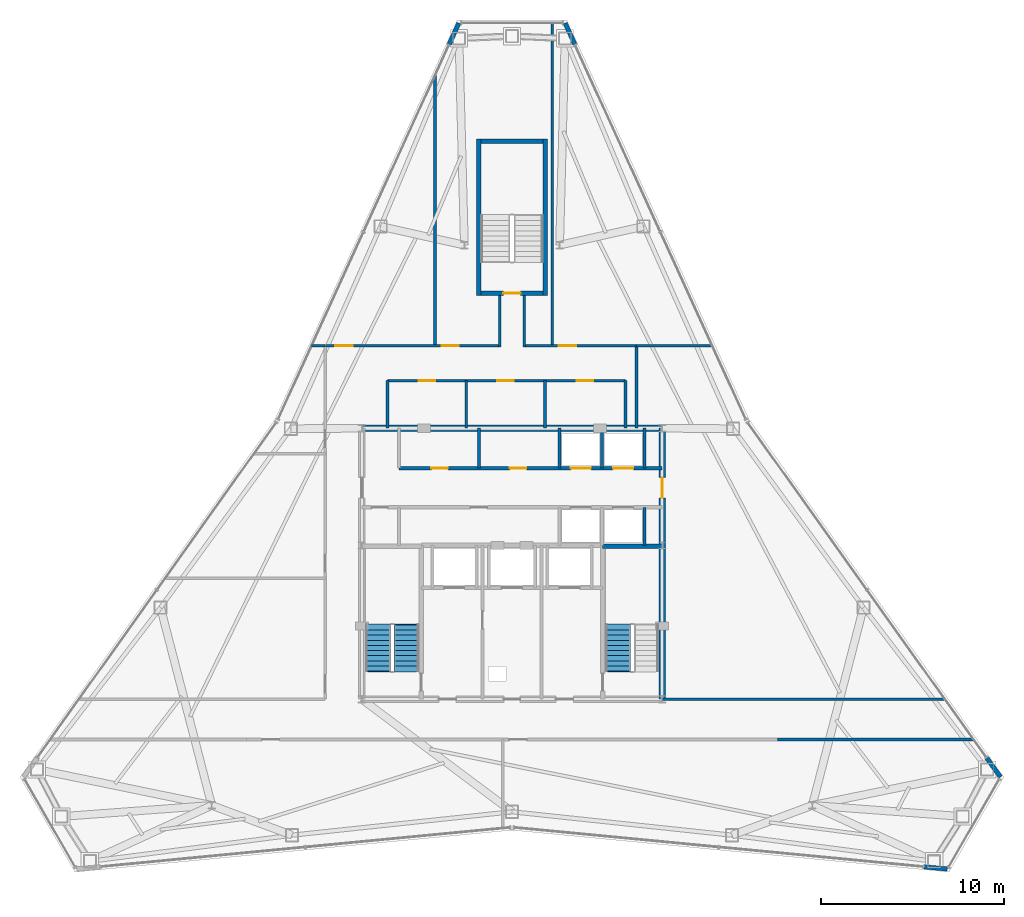
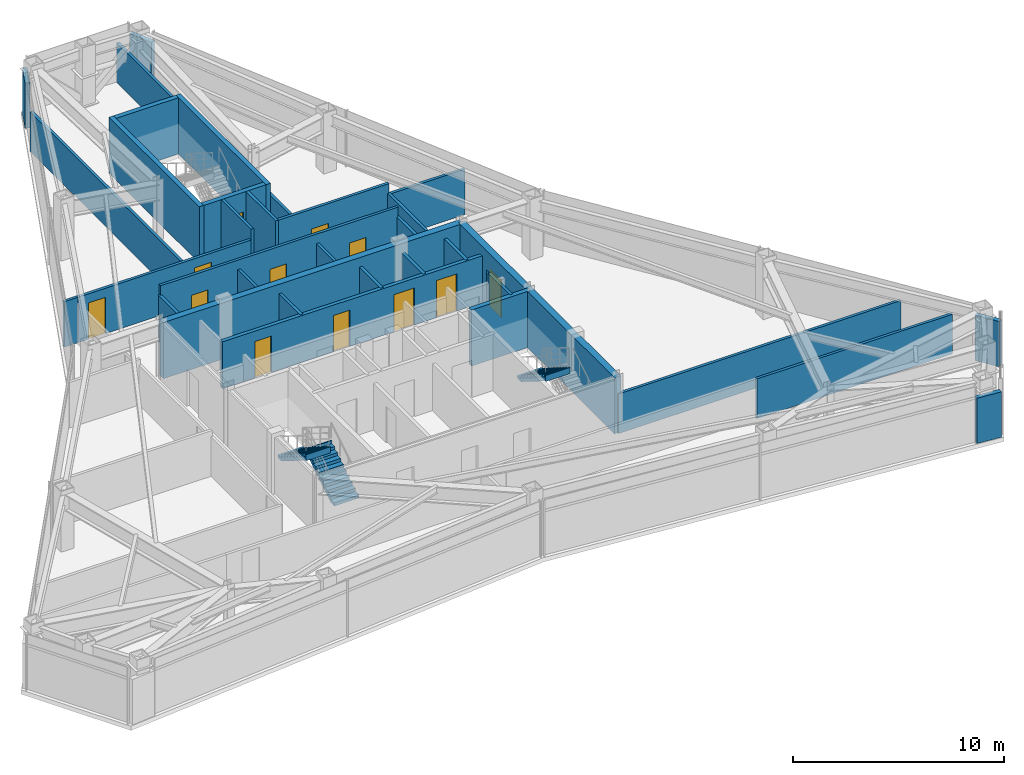
# One storey, part 10 of 12: 33 walls, 12 doors, 3 stair flights, 12 openings, 2 elements without a shape of their own.
"""IFC4 building model written with IfcOpenShell, lengths in metres."""

from ifc_helpers import new_model, si_unit, direction, frame, frame_2d, origin, place, context, subcontext, project, spatial, polyline, rectangle, outline, extrude, material, layer, layer_set, type_object, element, fill, aggregate, save


model = new_model("IFC4")

# Units and contexts
model_context = context("Model", 3, precision=1e-05, world=origin(), true_north=direction((0.0, 1.0)))
body_context = subcontext(model_context, "Body", "Model", "MODEL_VIEW")
ifc_project = project(units=[si_unit("LENGTHUNIT", "METRE"), si_unit("AREAUNIT", "SQUARE_METRE"), si_unit("VOLUMEUNIT", "CUBIC_METRE"), si_unit("PLANEANGLEUNIT", "RADIAN"), si_unit("MASSUNIT", "GRAM", prefix="KILO")], contexts=[model_context])

# Site, building, storey
site_placement = place(None, origin())
site = spatial("IfcSite", under=ifc_project, at=site_placement, CompositionType="ELEMENT")
building_placement = place(site_placement, origin())
building = spatial("IfcBuilding", under=site, at=building_placement, Name="Varakhsha Concourse Tower", CompositionType="ELEMENT")
storey_placement = place(building_placement, frame((0.0, 0.0, 243.39990234375)))
storey = spatial("IfcBuildingStorey", under=building, at=storey_placement, Name="L69", CompositionType="ELEMENT", Elevation=243.39990234375)

# Wall
ifc_material_1 = material(Name="Concrete fc 65 MPa", Category="concrete")
ifc_layer_1 = layer(ifc_material_1, 0.35009765625, Name="WL-CORE-350")
ifc_layer_set_1 = layer_set([ifc_layer_1], Name="Concrete fc 65 MPa")
wall_type_1 = type_object("IfcWallType", Name="WL-CORE-350", PredefinedType="SHEAR", material=ifc_layer_set_1)
wall_1_placement = place(storey_placement, frame((31.800048828125, 31.199951171875, 0.0), z_axis=(0.0, 0.0, 1.0), x_axis=(1.0, 0.0, 0.0)))
element("IfcWall", 1, at=wall_1_placement, inside=storey, type_object=wall_type_1, Name="L69 Wall CWALL-N-L69", PredefinedType="SHEAR", context=body_context, shape_type="SweptSolid", body=[
    extrude(rectangle(XDim=16.39990234375, YDim=0.35009765625, at=frame_2d((8.199951171875, 0.0))), origin(), (0.0, 0.0, 1.0), 3.25),
])

# Wall, opening, door
wall_2_placement = place(storey_placement, frame((48.199951171875, 16.39990234375, 0.0), z_axis=(0.0, 0.0, 1.0), x_axis=(0.0, 1.0, 0.0)))
wall_2 = element("IfcWall", 2, at=wall_2_placement, inside=storey, type_object=wall_type_1, Name="L69 Wall CWALL-E-L69", PredefinedType="SHEAR", context=body_context, shape_type="SweptSolid", body=[
    extrude(rectangle(XDim=14.800048828125, YDim=0.35009765625, at=frame_2d((7.39990234375, 0.0))), origin(), (0.0, 0.0, 1.0), 3.25),
])
opening_1_placement = place(wall_2_placement, frame((11.0, 0.0, 0.0)))
opening_1 = element("IfcOpeningElement", 3, at=opening_1_placement, cuts=wall_2, Name="Opening DL-01", PredefinedType="OPENING", context=body_context, shape_type="SweptSolid", body=[
    extrude(rectangle(XDim=1.10009765625, YDim=2.14990234375, at=frame_2d((0.550048828125, 1.074951171875))), frame((0.0, 0.18505859375, 0.0), z_axis=(0.0, -1.0, 0.0), x_axis=(1.0, 0.0, 0.0)), (0.0, 0.0, 1.0), 0.3701171875),
])
ifc_material_2 = material(Name="Anodised Bronze Architectural Aluminium AA 6063-T6", Category="aluminium")
door_type_1 = type_object("IfcDoorType", Name="DR-LOB-1100", OperationType="NOTDEFINED", PredefinedType="DOOR", material=ifc_material_2)
door_1_placement = place(opening_1_placement, origin())
door_1 = element("IfcDoor", 4, at=door_1_placement, inside=storey, type_object=door_type_1, Name="L69 Lift Lobby East Concourse Door", OperationType="SINGLE_SWING_RIGHT", OverallHeight=2.14990234375, OverallWidth=1.10009765625, PredefinedType="DOOR", context=body_context, shape_type="SweptSolid", body=[
    extrude(rectangle(XDim=1.10009765625, YDim=2.14990234375, at=frame_2d((0.550048828125, 1.074951171875))), frame((0.0, 0.02490234375, 0.0), z_axis=(0.0, -1.0, 0.0), x_axis=(1.0, 0.0, 0.0)), (0.0, 0.0, 1.0), 0.050048828125),
])
fill(opening_1, door_1)

# Walls
ifc_material_3 = material(Name="Concrete fc 45 MPa", Category="concrete")
ifc_layer_2 = layer(ifc_material_3, 0.239990234375, Name="WL-EXT-CRN-240")
ifc_layer_set_2 = layer_set([ifc_layer_2], Name="Concrete fc 45 MPa")
wall_type_2 = type_object("IfcWallType", Name="WL-EXT-CRN-240", PredefinedType="SHEAR", material=ifc_layer_set_2)
wall_3_placement = place(storey_placement, frame((37.09912109375, 53.328857421875, 0.0), z_axis=(0.0, 0.0, 1.0), x_axis=(-0.415158054461, -0.909749300531, 0.0)))
element("IfcWall", 5, at=wall_3_placement, inside=storey, type_object=wall_type_2, Name="L69 Wind-Corner Shoulder Wall F2", PredefinedType="SHEAR", context=body_context, shape_type="SweptSolid", body=[
    extrude(rectangle(XDim=1.275634765625, YDim=0.239990234375, at=frame_2d((0.6376953125, 0.0))), origin(), (0.0, 0.0, 1.0), 2.623046875),
])
wall_4_placement = place(storey_placement, frame((62.50634765625, 7.244873046875, 0.0), z_axis=(0.0, 0.0, 1.0), x_axis=(0.995445433377, -0.095333043427, 0.0)))
element("IfcWall", 6, at=wall_4_placement, inside=storey, type_object=wall_type_2, Name="L69 Wind-Corner Shoulder Wall F6", PredefinedType="SHEAR", context=body_context, shape_type="SweptSolid", body=[
    extrude(rectangle(XDim=1.275390625, YDim=0.239990234375, at=frame_2d((0.6376953125, 0.0))), origin(), (0.0, 0.0, 1.0), 2.623046875),
])
for number, where, z_axis, x_axis, name in (
    (7, (66.6767578125, 12.147705078125, 0.0), (0.0, 0.0, 1.0), (-0.580314460297, 0.814392489632, 0.0), "L69 Wind-Corner Shoulder Wall F8"),
    (8, (43.430419921875, 52.16845703125, 0.0), (0.0, 0.0, 1.0), (-0.415158054461, 0.909749300531, 0.0), "L69 Wind-Corner Shoulder Wall F9"),
):
    element("IfcWall", number, at=place(storey_placement, frame(where, z_axis=z_axis, x_axis=x_axis)), inside=storey, type_object=wall_type_2, Name=name, PredefinedType="SHEAR", context=body_context, shape_type="SweptSolid", body=[
        extrude(rectangle(XDim=1.275634765625, YDim=0.239990234375, at=frame_2d((0.6376953125, 0.0))), origin(), (0.0, 0.0, 1.0), 2.623046875),
    ])
ifc_material_4 = material(Name="Fire-Rated Type X Gypsum Partition Assembly", Category="gypsum")
ifc_layer_3 = layer(ifc_material_4, 0.14990234375, Name="WL-PART-150")
ifc_layer_set_3 = layer_set([ifc_layer_3], Name="Fire-Rated Type X Gypsum Partition Assembly")
wall_type_3 = type_object("IfcWallType", Name="WL-PART-150", PredefinedType="PARTITIONING", material=ifc_layer_set_3)
wall_5_placement = place(storey_placement, frame((38.199951171875, 29.02001953125, 0.0), z_axis=(0.0, 0.0, 1.0), x_axis=(0.0, 1.0, 0.0)))
element("IfcWall", 9, at=wall_5_placement, inside=storey, type_object=wall_type_3, Name="L69 Wall P1F-D1-L69", PredefinedType="PARTITIONING", context=body_context, shape_type="SweptSolid", body=[
    extrude(rectangle(XDim=2.179931640625, YDim=0.14990234375, at=frame_2d((1.08984375, 0.0))), origin(), (0.0, 0.0, 1.0), 2.705078125),
])

# Wall, openings, doors
wall_6_placement = place(storey_placement, frame((33.199951171875, 33.800048828125, 0.0), z_axis=(0.0, 0.0, 1.0), x_axis=(1.0, 0.0, 0.0)))
wall_6 = element("IfcWall", 10, at=wall_6_placement, inside=storey, type_object=wall_type_3, Name="L69 Wall NBOH-N-L69", PredefinedType="PARTITIONING", context=body_context, shape_type="SweptSolid", body=[
    extrude(rectangle(XDim=13.0, YDim=0.14990234375, at=frame_2d((6.5, 0.0))), origin(), (0.0, 0.0, 1.0), 3.25),
])
opening_2_placement = place(wall_6_placement, frame((1.699951171875, 0.0, 0.0)))
opening_2 = element("IfcOpeningElement", 11, at=opening_2_placement, cuts=wall_6, Name="Opening DF-06", PredefinedType="OPENING", context=body_context, shape_type="SweptSolid", body=[
    extrude(rectangle(XDim=0.89990234375, YDim=2.10009765625, at=frame_2d((0.449951171875, 1.050048828125))), frame((0.0, 0.0849609375, 0.0), z_axis=(0.0, -1.0, 0.0), x_axis=(1.0, 0.0, 0.0)), (0.0, 0.0, 1.0), 0.169921875),
])
opening_3_placement = place(wall_6_placement, frame((6.0, 0.0, 0.0)))
opening_3 = element("IfcOpeningElement", 12, at=opening_3_placement, cuts=wall_6, Name="Opening DF-06", PredefinedType="OPENING", context=body_context, shape_type="SweptSolid", body=[
    extrude(rectangle(XDim=0.89990234375, YDim=2.10009765625, at=frame_2d((0.449951171875, 1.050048828125))), frame((0.0, 0.0849609375, 0.0), z_axis=(0.0, -1.0, 0.0), x_axis=(1.0, 0.0, 0.0)), (0.0, 0.0, 1.0), 0.169921875),
])
opening_4_placement = place(wall_6_placement, frame((10.35009765625, 0.0, 0.0)))
opening_4 = element("IfcOpeningElement", 13, at=opening_4_placement, cuts=wall_6, Name="Opening DF-06", PredefinedType="OPENING", context=body_context, shape_type="SweptSolid", body=[
    extrude(rectangle(XDim=0.89990234375, YDim=2.10009765625, at=frame_2d((0.449951171875, 1.050048828125))), frame((0.0, 0.0849609375, 0.0), z_axis=(0.0, -1.0, 0.0), x_axis=(1.0, 0.0, 0.0)), (0.0, 0.0, 1.0), 0.169921875),
])
ifc_material_5 = material(Name="Hollow Galvanised Steel Fire Door Assembly", Category="steel")
door_type_2 = type_object("IfcDoorType", Name="DR-FD60-900", OperationType="NOTDEFINED", PredefinedType="DOOR", material=ifc_material_5)
door_2_placement = place(opening_2_placement, origin())
door_2 = element("IfcDoor", 14, at=door_2_placement, inside=storey, type_object=door_type_2, Name="L69 Men Restroom WC Door", OperationType="SINGLE_SWING_LEFT", OverallHeight=2.10009765625, OverallWidth=0.89990234375, PredefinedType="DOOR", context=body_context, shape_type="SweptSolid", body=[
    extrude(rectangle(XDim=0.89990234375, YDim=2.10009765625, at=frame_2d((0.449951171875, 1.050048828125))), frame((0.0, 0.02490234375, 0.0), z_axis=(0.0, -1.0, 0.0), x_axis=(1.0, 0.0, 0.0)), (0.0, 0.0, 1.0), 0.050048828125),
])
fill(opening_2, door_2)
door_3_placement = place(opening_3_placement, origin())
door_3 = element("IfcDoor", 15, at=door_3_placement, inside=storey, type_object=door_type_2, Name="L69 Women Restroom WC Door", OperationType="SINGLE_SWING_RIGHT", OverallHeight=2.10009765625, OverallWidth=0.89990234375, PredefinedType="DOOR", context=body_context, shape_type="SweptSolid", body=[
    extrude(rectangle(XDim=0.89990234375, YDim=2.10009765625, at=frame_2d((0.449951171875, 1.050048828125))), frame((0.0, 0.02490234375, 0.0), z_axis=(0.0, -1.0, 0.0), x_axis=(1.0, 0.0, 0.0)), (0.0, 0.0, 1.0), 0.050048828125),
])
fill(opening_3, door_3)
door_4_placement = place(opening_4_placement, origin())
door_4 = element("IfcDoor", 16, at=door_4_placement, inside=storey, type_object=door_type_2, Name="L69 Accessible WC Door", OperationType="SINGLE_SWING_LEFT", OverallHeight=2.10009765625, OverallWidth=0.89990234375, PredefinedType="DOOR", context=body_context, shape_type="SweptSolid", body=[
    extrude(rectangle(XDim=0.89990234375, YDim=2.10009765625, at=frame_2d((0.449951171875, 1.050048828125))), frame((0.0, 0.02490234375, 0.0), z_axis=(0.0, -1.0, 0.0), x_axis=(1.0, 0.0, 0.0)), (0.0, 0.0, 1.0), 0.050048828125),
])
fill(opening_4, door_4)

# Walls
for number, where, z_axis, x_axis, name in (
    (17, (33.199951171875, 31.199951171875, 0.0), (0.0, 0.0, 1.0), (0.0, 1.0, 0.0), "L69 Wall NBOH-W-L69"),
    (18, (46.199951171875, 31.199951171875, 0.0), (0.0, 0.0, 1.0), (0.0, 1.0, 0.0), "L69 Wall NBOH-E-L69"),
    (19, (37.5, 31.199951171875, 0.0), (0.0, 0.0, 1.0), (0.0, 1.0, 0.0), "L69 Wall NBOH-D1-L69"),
    (20, (41.800048828125, 31.199951171875, 0.0), (0.0, 0.0, 1.0), (0.0, 1.0, 0.0), "L69 Wall NBOH-D2-L69"),
):
    element("IfcWall", number, at=place(storey_placement, frame(where, z_axis=z_axis, x_axis=x_axis)), inside=storey, type_object=wall_type_3, Name=name, PredefinedType="PARTITIONING", context=body_context, shape_type="SweptSolid", body=[
        extrude(rectangle(XDim=2.60009765625, YDim=0.14990234375, at=frame_2d((1.300048828125, 0.0))), origin(), (0.0, 0.0, 1.0), 2.705078125),
    ])
wall_7_placement = place(storey_placement, frame((54.5, 14.199951171875, 0.0), z_axis=(0.0, 0.0, 1.0), x_axis=(1.0, 0.0, 0.0)))
element("IfcWall", 21, at=wall_7_placement, inside=storey, type_object=wall_type_3, Name="L69 Wall CRW-SGAL-SE-L69", PredefinedType="PARTITIONING", context=body_context, shape_type="SweptSolid", body=[
    extrude(rectangle(XDim=10.70849609375, YDim=0.14990234375, at=frame_2d((5.354248046875, 0.0))), origin(), (0.0, 0.0, 1.0), 2.2919921875),
])
wall_8_placement = place(storey_placement, frame((48.199951171875, 16.39990234375, 0.0), z_axis=(0.0, 0.0, 1.0), x_axis=(1.0, 0.0, 0.0)))
element("IfcWall", 22, at=wall_8_placement, inside=storey, type_object=wall_type_3, Name="L69 Wall CRW-SGAL-NE-L69", PredefinedType="PARTITIONING", context=body_context, shape_type="SweptSolid", body=[
    extrude(rectangle(XDim=15.44091796875, YDim=0.14990234375, at=frame_2d((7.720458984375, 0.0))), origin(), (0.0, 0.0, 1.0), 2.2919921875),
])

# Wall, openings, doors
wall_9_placement = place(storey_placement, frame((29.800048828125, 35.699951171875, 0.0), z_axis=(0.0, 0.0, 1.0), x_axis=(1.0, 0.0, 0.0)))
wall_9 = element("IfcWall", 23, at=wall_9_placement, inside=storey, type_object=wall_type_3, Name="L69 Wall CRW-N-L69", PredefinedType="PARTITIONING", context=body_context, shape_type="SweptSolid", body=[
    extrude(rectangle(XDim=9.449951171875, YDim=0.14990234375, at=frame_2d((4.72509765625, 0.0))), origin(), (0.0, 0.0, 1.0), 2.628173828125),
])
opening_5_placement = place(wall_9_placement, frame((0.550048828125, 0.0, 0.0)))
opening_5 = element("IfcOpeningElement", 24, at=opening_5_placement, cuts=wall_9, Name="Opening DF-05", PredefinedType="OPENING", context=body_context, shape_type="SweptSolid", body=[
    extrude(rectangle(XDim=0.949951171875, YDim=2.10009765625, at=frame_2d((0.47509765625, 1.050048828125))), frame((0.0, 0.0849609375, 0.0), z_axis=(0.0, -1.0, 0.0), x_axis=(1.0, 0.0, 0.0)), (0.0, 0.0, 1.0), 0.169921875),
])
opening_6_placement = place(wall_9_placement, frame((6.35009765625, 0.0, 0.0)))
opening_6 = element("IfcOpeningElement", 25, at=opening_6_placement, cuts=wall_9, Name="Opening DF-05", PredefinedType="OPENING", context=body_context, shape_type="SweptSolid", body=[
    extrude(rectangle(XDim=0.949951171875, YDim=2.10009765625, at=frame_2d((0.47509765625, 1.050048828125))), frame((0.0, 0.0849609375, 0.0), z_axis=(0.0, -1.0, 0.0), x_axis=(1.0, 0.0, 0.0)), (0.0, 0.0, 1.0), 0.169921875),
])
door_type_3 = type_object("IfcDoorType", Name="DR-FD60-950", OperationType="NOTDEFINED", PredefinedType="DOOR", material=ifc_material_5)
door_5_placement = place(opening_5_placement, origin())
door_5 = element("IfcDoor", 26, at=door_5_placement, inside=storey, type_object=door_type_3, Name="L69 Mountain View Project Controls Workroom L69-N1 Door", OperationType="SINGLE_SWING_LEFT", OverallHeight=2.10009765625, OverallWidth=0.949951171875, PredefinedType="DOOR", context=body_context, shape_type="SweptSolid", body=[
    extrude(rectangle(XDim=0.949951171875, YDim=2.10009765625, at=frame_2d((0.47509765625, 1.050048828125))), frame((0.0, 0.02490234375, 0.0), z_axis=(0.0, -1.0, 0.0), x_axis=(1.0, 0.0, 0.0)), (0.0, 0.0, 1.0), 0.050048828125),
])
fill(opening_5, door_5)
door_6_placement = place(opening_6_placement, origin())
door_6 = element("IfcDoor", 27, at=door_6_placement, inside=storey, type_object=door_type_3, Name="L69 North Strategic Advisory Office Suite L69-N2 Door", OperationType="SINGLE_SWING_RIGHT", OverallHeight=2.10009765625, OverallWidth=0.949951171875, PredefinedType="DOOR", context=body_context, shape_type="SweptSolid", body=[
    extrude(rectangle(XDim=0.949951171875, YDim=2.10009765625, at=frame_2d((0.47509765625, 1.050048828125))), frame((0.0, 0.02490234375, 0.0), z_axis=(0.0, -1.0, 0.0), x_axis=(1.0, 0.0, 0.0)), (0.0, 0.0, 1.0), 0.050048828125),
])
fill(opening_6, door_6)

# Wall, opening, door
wall_10_placement = place(storey_placement, frame((40.75, 35.699951171875, 0.0), z_axis=(0.0, 0.0, 1.0), x_axis=(1.0, 0.0, 0.0)))
wall_10 = element("IfcWall", 28, at=wall_10_placement, inside=storey, type_object=wall_type_3, Name="L69 Wall CRW-N-L69-B", PredefinedType="PARTITIONING", context=body_context, shape_type="SweptSolid", body=[
    extrude(rectangle(XDim=6.050048828125, YDim=0.14990234375, at=frame_2d((3.02490234375, 0.0))), origin(), (0.0, 0.0, 1.0), 3.25),
])
opening_7_placement = place(wall_10_placement, frame((1.800048828125, 0.0, 0.0)))
opening_7 = element("IfcOpeningElement", 29, at=opening_7_placement, cuts=wall_10, Name="Opening DF-05", PredefinedType="OPENING", context=body_context, shape_type="SweptSolid", body=[
    extrude(rectangle(XDim=0.949951171875, YDim=2.10009765625, at=frame_2d((0.47509765625, 1.050048828125))), frame((0.0, 0.0849609375, 0.0), z_axis=(0.0, -1.0, 0.0), x_axis=(1.0, 0.0, 0.0)), (0.0, 0.0, 1.0), 0.169921875),
])
door_7_placement = place(opening_7_placement, origin())
door_7 = element("IfcDoor", 30, at=door_7_placement, inside=storey, type_object=door_type_3, Name="L69 North Strategic Advisory Office Suite L69-N3 Door", OperationType="SINGLE_SWING_LEFT", OverallHeight=2.10009765625, OverallWidth=0.949951171875, PredefinedType="DOOR", context=body_context, shape_type="SweptSolid", body=[
    extrude(rectangle(XDim=0.949951171875, YDim=2.10009765625, at=frame_2d((0.47509765625, 1.050048828125))), frame((0.0, 0.02490234375, 0.0), z_axis=(0.0, -1.0, 0.0), x_axis=(1.0, 0.0, 0.0)), (0.0, 0.0, 1.0), 0.050048828125),
])
fill(opening_7, door_7)

# Walls
wall_11_placement = place(storey_placement, frame((46.800048828125, 31.199951171875, 0.0), z_axis=(0.0, 0.0, 1.0), x_axis=(0.0, 1.0, 0.0)))
element("IfcWall", 31, at=wall_11_placement, inside=storey, type_object=wall_type_3, Name="L69 Wall CRW-NE-L69", PredefinedType="PARTITIONING", context=body_context, shape_type="SweptSolid", body=[
    extrude(rectangle(XDim=4.5, YDim=0.14990234375, at=frame_2d((2.25, 0.0))), origin(), (0.0, 0.0, 1.0), 2.705078125),
])
wall_12_placement = place(storey_placement, frame((29.060302734375, 35.699951171875, 0.0), z_axis=(0.0, 0.0, 1.0), x_axis=(1.0, 0.0, 0.0)))
element("IfcWall", 32, at=wall_12_placement, inside=storey, type_object=wall_type_3, Name="L69 Wall ODIV-WBN-L69", PredefinedType="PARTITIONING", context=body_context, shape_type="SweptSolid", body=[
    extrude(rectangle(XDim=0.73974609375, YDim=0.14990234375, at=frame_2d((0.369873046875, 0.0))), origin(), (0.0, 0.0, 1.0), 2.628173828125),
])
wall_13_placement = place(storey_placement, frame((46.800048828125, 35.699951171875, 0.0), z_axis=(0.0, 0.0, 1.0), x_axis=(1.0, 0.0, 0.0)))
element("IfcWall", 33, at=wall_13_placement, inside=storey, type_object=wall_type_3, Name="L69 Wall ODIV-EBN-L69", PredefinedType="PARTITIONING", context=body_context, shape_type="SweptSolid", body=[
    extrude(rectangle(XDim=4.1396484375, YDim=0.14990234375, at=frame_2d((2.06982421875, 0.0))), origin(), (0.0, 0.0, 1.0), 2.628173828125),
])
wall_14_placement = place(storey_placement, frame((35.800048828125, 35.699951171875, 0.0), z_axis=(0.0, 0.0, 1.0), x_axis=(0.0, 1.0, 0.0)))
element("IfcWall", 34, at=wall_14_placement, inside=storey, type_object=wall_type_3, Name="L69 Wall ODIV-N1-L69", PredefinedType="PARTITIONING", context=body_context, shape_type="SweptSolid", body=[
    extrude(rectangle(XDim=14.77001953125, YDim=0.14990234375, at=frame_2d((7.385009765625, 0.0))), origin(), (0.0, 0.0, 1.0), 2.2919921875),
])
wall_15_placement = place(storey_placement, frame((42.199951171875, 35.699951171875, 0.0), z_axis=(0.0, 0.0, 1.0), x_axis=(0.0, 1.0, 0.0)))
element("IfcWall", 35, at=wall_15_placement, inside=storey, type_object=wall_type_3, Name="L69 Wall ODIV-N2-L69", PredefinedType="PARTITIONING", context=body_context, shape_type="SweptSolid", body=[
    extrude(rectangle(XDim=17.632080078125, YDim=0.14990234375, at=frame_2d((8.81591796875, 0.0))), origin(), (0.0, 0.0, 1.0), 2.2919921875),
])
for number, where, z_axis, x_axis, name in (
    (36, (39.324951171875, 35.625, 0.0), (0.0, 0.0, 1.0), (0.0, 1.0, 0.0), "L69 Wall STUB-W-L69"),
    (37, (40.675048828125, 35.625, 0.0), (0.0, 0.0, 1.0), (0.0, 1.0, 0.0), "L69 Wall STUB-E-L69"),
):
    element("IfcWall", number, at=place(storey_placement, frame(where, z_axis=z_axis, x_axis=x_axis)), inside=storey, type_object=wall_type_3, Name=name, PredefinedType="PARTITIONING", context=body_context, shape_type="SweptSolid", body=[
        extrude(rectangle(XDim=2.824951171875, YDim=0.14990234375, at=frame_2d((1.41259765625, 0.0))), origin(), (0.0, 0.0, 1.0), 3.25),
    ])

# Wall, openings, doors
ifc_layer_4 = layer(ifc_material_4, 0.199951171875, Name="WL-SHAFT-220")
ifc_layer_set_4 = layer_set([ifc_layer_4], Name="Fire-Rated Type X Gypsum Partition Assembly")
wall_type_4 = type_object("IfcWallType", Name="WL-SHAFT-220", PredefinedType="SOLIDWALL", material=ifc_layer_set_4)
wall_16_placement = place(storey_placement, frame((33.820068359375, 29.02001953125, 0.0), z_axis=(0.0, 0.0, 1.0), x_axis=(1.0, 0.0, 0.0)))
wall_16 = element("IfcWall", 38, at=wall_16_placement, inside=storey, type_object=wall_type_4, Name="L69 Wall PLW-N-L69", PredefinedType="SOLIDWALL", context=body_context, shape_type="SweptSolid", body=[
    extrude(rectangle(XDim=14.3798828125, YDim=0.199951171875, at=frame_2d((7.18994140625, 0.0))), origin(), (0.0, 0.0, 1.0), 2.705078125),
])
opening_8_placement = place(wall_16_placement, frame((1.780029296875, 0.0, 0.0)))
opening_8 = element("IfcOpeningElement", 39, at=opening_8_placement, cuts=wall_16, Name="Opening DF-06", PredefinedType="OPENING", context=body_context, shape_type="SweptSolid", body=[
    extrude(rectangle(XDim=0.89990234375, YDim=2.10009765625, at=frame_2d((0.449951171875, 1.050048828125))), frame((0.0, 0.10986328125, 0.0), z_axis=(0.0, -1.0, 0.0), x_axis=(1.0, 0.0, 0.0)), (0.0, 0.0, 1.0), 0.219970703125),
])
opening_9_placement = place(wall_16_placement, frame((6.070068359375, 0.0, 0.0)))
opening_9 = element("IfcOpeningElement", 40, at=opening_9_placement, cuts=wall_16, Name="Opening DF-06", PredefinedType="OPENING", context=body_context, shape_type="SweptSolid", body=[
    extrude(rectangle(XDim=0.89990234375, YDim=2.10009765625, at=frame_2d((0.449951171875, 1.050048828125))), frame((0.0, 0.10986328125, 0.0), z_axis=(0.0, -1.0, 0.0), x_axis=(1.0, 0.0, 0.0)), (0.0, 0.0, 1.0), 0.219970703125),
])
opening_10_placement = place(wall_16_placement, frame((9.389892578125, 0.0, 0.0)))
opening_10 = element("IfcOpeningElement", 41, at=opening_10_placement, cuts=wall_16, Name="Opening LD-LF-P09", PredefinedType="OPENING", context=body_context, shape_type="SweptSolid", body=[
    extrude(rectangle(XDim=1.10009765625, YDim=2.14990234375, at=frame_2d((0.550048828125, 1.074951171875))), frame((0.0, 0.10986328125, 0.0), z_axis=(0.0, -1.0, 0.0), x_axis=(1.0, 0.0, 0.0)), (0.0, 0.0, 1.0), 0.219970703125),
])
opening_11_placement = place(wall_16_placement, frame((11.7099609375, 0.0, 0.0)))
opening_11 = element("IfcOpeningElement", 42, at=opening_11_placement, cuts=wall_16, Name="Opening LD-LF-P10", PredefinedType="OPENING", context=body_context, shape_type="SweptSolid", body=[
    extrude(rectangle(XDim=1.10009765625, YDim=2.14990234375, at=frame_2d((0.550048828125, 1.074951171875))), frame((0.0, 0.10986328125, 0.0), z_axis=(0.0, -1.0, 0.0), x_axis=(1.0, 0.0, 0.0)), (0.0, 0.0, 1.0), 0.219970703125),
])
door_8_placement = place(opening_8_placement, origin())
door_8 = element("IfcDoor", 43, at=door_8_placement, inside=storey, type_object=door_type_2, Name="L69 Tenant Archive and IT Server Room Door", OperationType="SINGLE_SWING_LEFT", OverallHeight=2.10009765625, OverallWidth=0.89990234375, PredefinedType="DOOR", context=body_context, shape_type="SweptSolid", body=[
    extrude(rectangle(XDim=0.89990234375, YDim=2.10009765625, at=frame_2d((0.449951171875, 1.050048828125))), frame((0.0, 0.02490234375, 0.0), z_axis=(0.0, -1.0, 0.0), x_axis=(1.0, 0.0, 0.0)), (0.0, 0.0, 1.0), 0.050048828125),
])
fill(opening_8, door_8)
door_9_placement = place(opening_9_placement, origin())
door_9 = element("IfcDoor", 44, at=door_9_placement, inside=storey, type_object=door_type_2, Name="L69 Core Facility Closet N1 Door", OperationType="SINGLE_SWING_RIGHT", OverallHeight=2.10009765625, OverallWidth=0.89990234375, PredefinedType="DOOR", context=body_context, shape_type="SweptSolid", body=[
    extrude(rectangle(XDim=0.89990234375, YDim=2.10009765625, at=frame_2d((0.449951171875, 1.050048828125))), frame((0.0, 0.02490234375, 0.0), z_axis=(0.0, -1.0, 0.0), x_axis=(1.0, 0.0, 0.0)), (0.0, 0.0, 1.0), 0.050048828125),
])
fill(opening_9, door_9)
ifc_material_6 = material(Name="Brushed Austenitic Stainless Steel AISI 316", Category="steel")
door_type_4 = type_object("IfcDoorType", Name="DR-LD-1100", OperationType="DOUBLE_DOOR_SLIDING", PredefinedType="DOOR", material=ifc_material_6)
door_10_placement = place(opening_10_placement, origin())
door_10 = element("IfcDoor", 45, at=door_10_placement, inside=storey, type_object=door_type_4, Name="Lift Landing Door LF-P09 L69", OperationType="DOUBLE_DOOR_SLIDING", OverallHeight=2.14990234375, OverallWidth=1.10009765625, PredefinedType="DOOR", context=body_context, shape_type="SweptSolid", body=[
    extrude(rectangle(XDim=1.10009765625, YDim=2.14990234375, at=frame_2d((0.550048828125, 1.074951171875))), frame((0.0, 0.02490234375, 0.0), z_axis=(0.0, -1.0, 0.0), x_axis=(1.0, 0.0, 0.0)), (0.0, 0.0, 1.0), 0.050048828125),
])
fill(opening_10, door_10)
door_11_placement = place(opening_11_placement, origin())
door_11 = element("IfcDoor", 46, at=door_11_placement, inside=storey, type_object=door_type_4, Name="Lift Landing Door LF-P10 L69", OperationType="DOUBLE_DOOR_SLIDING", OverallHeight=2.14990234375, OverallWidth=1.10009765625, PredefinedType="DOOR", context=body_context, shape_type="SweptSolid", body=[
    extrude(rectangle(XDim=1.10009765625, YDim=2.14990234375, at=frame_2d((0.550048828125, 1.074951171875))), frame((0.0, 0.02490234375, 0.0), z_axis=(0.0, -1.0, 0.0), x_axis=(1.0, 0.0, 0.0)), (0.0, 0.0, 1.0), 0.050048828125),
])
fill(opening_11, door_11)

# Walls
for number, where, z_axis, x_axis, name in (
    (47, (42.60009765625, 29.02001953125, 0.0), (0.0, 0.0, 1.0), (0.0, 1.0, 0.0), "L69 Wall SHW-LF-P09-W-L69"),
    (48, (44.919921875, 29.02001953125, 0.0), (0.0, 0.0, 1.0), (0.0, 1.0, 0.0), "L69 Wall SHW-LF-P09-E-L69"),
    (49, (47.239990234375, 29.02001953125, 0.0), (0.0, 0.0, 1.0), (0.0, 1.0, 0.0), "L69 Wall SHW-LF-P10-E-L69"),
):
    element("IfcWall", number, at=place(storey_placement, frame(where, z_axis=z_axis, x_axis=x_axis)), inside=storey, type_object=wall_type_4, Name=name, PredefinedType="SOLIDWALL", context=body_context, shape_type="SweptSolid", body=[
        extrude(rectangle(XDim=2.179931640625, YDim=0.159912109375, at=frame_2d((1.08984375, 0.0))), origin(), (0.0, 0.0, 1.0), 2.705078125),
    ])
wall_17_placement = place(storey_placement, frame((47.239990234375, 24.800048828125, 0.0), z_axis=(0.0, 0.0, 1.0), x_axis=(0.0, 1.0, 0.0)))
element("IfcWall", 50, at=wall_17_placement, inside=storey, type_object=wall_type_4, Name="L69 Wall SHW-LF-P12-E-L69", PredefinedType="SOLIDWALL", context=body_context, shape_type="SweptSolid", body=[
    extrude(rectangle(XDim=2.079833984375, YDim=0.159912109375, at=frame_2d((1.0400390625, 0.0))), origin(), (0.0, 0.0, 1.0), 3.25),
])
ifc_layer_5 = layer(ifc_material_3, 0.25, Name="WL-STAIR-250")
ifc_layer_set_5 = layer_set([ifc_layer_5], Name="Concrete fc 45 MPa")
wall_type_5 = type_object("IfcWallType", Name="WL-STAIR-250", PredefinedType="SHEAR", material=ifc_layer_set_5)
wall_18_placement = place(storey_placement, frame((44.955078125, 24.7548828125, 0.0), z_axis=(0.0, 0.0, 1.0), x_axis=(1.0, 0.0, 0.0)))
element("IfcWall", 51, at=wall_18_placement, inside=storey, type_object=wall_type_5, Name="L69 Wall SWALL-ST2-N-L69", PredefinedType="SHEAR", context=body_context, shape_type="SweptSolid", body=[
    extrude(rectangle(XDim=3.244873046875, YDim=0.25, at=frame_2d((1.62255859375, 0.0))), origin(), (0.0, 0.0, 1.0), 3.25),
])
for number, where, z_axis, x_axis, name in (
    (52, (38.175048828125, 38.449951171875, 0.0), (0.0, 0.0, 1.0), (0.0, 1.0, 0.0), "L69 Wall SWALL-ST5-W-L69"),
    (53, (41.824951171875, 38.449951171875, 0.0), (0.0, 0.0, 1.0), (0.0, 1.0, 0.0), "L69 Wall SWALL-ST5-E-L69"),
):
    element("IfcWall", number, at=place(storey_placement, frame(where, z_axis=z_axis, x_axis=x_axis)), inside=storey, type_object=wall_type_5, Name=name, PredefinedType="SHEAR", context=body_context, shape_type="SweptSolid", body=[
        extrude(rectangle(XDim=8.550048828125, YDim=0.25, at=frame_2d((4.27490234375, 0.0))), origin(), (0.0, 0.0, 1.0), 3.25),
    ])

# Wall, opening, door
wall_19_placement = place(storey_placement, frame((38.300048828125, 38.574951171875, 0.0), z_axis=(0.0, 0.0, 1.0), x_axis=(1.0, 0.0, 0.0)))
wall_19 = element("IfcWall", 54, at=wall_19_placement, inside=storey, type_object=wall_type_5, Name="L69 Wall SWALL-ST5-S-L69", PredefinedType="SHEAR", context=body_context, shape_type="SweptSolid", body=[
    extrude(rectangle(XDim=3.39990234375, YDim=0.25, at=frame_2d((1.699951171875, 0.0))), origin(), (0.0, 0.0, 1.0), 3.25),
])
opening_12_placement = place(wall_19_placement, frame((1.22509765625, 0.0, 0.0)))
opening_12 = element("IfcOpeningElement", 55, at=opening_12_placement, cuts=wall_19, Name="Opening DF-03", PredefinedType="OPENING", context=body_context, shape_type="SweptSolid", body=[
    extrude(rectangle(XDim=0.949951171875, YDim=2.10009765625, at=frame_2d((0.47509765625, 1.050048828125))), frame((0.0, 0.135009765625, 0.0), z_axis=(0.0, -1.0, 0.0), x_axis=(1.0, 0.0, 0.0)), (0.0, 0.0, 1.0), 0.27001953125),
])
door_type_5 = type_object("IfcDoorType", Name="DR-FD90-950", OperationType="NOTDEFINED", PredefinedType="DOOR", material=ifc_material_5)
door_12_placement = place(opening_12_placement, origin())
door_12 = element("IfcDoor", 56, at=door_12_placement, inside=storey, type_object=door_type_5, Name="L69 Stair ST5 Fire Door", OperationType="SINGLE_SWING_RIGHT", OverallHeight=2.10009765625, OverallWidth=0.949951171875, PredefinedType="DOOR", context=body_context, shape_type="SweptSolid", body=[
    extrude(rectangle(XDim=0.949951171875, YDim=2.10009765625, at=frame_2d((0.47509765625, 1.050048828125))), frame((0.0, 0.02490234375, 0.0), z_axis=(0.0, -1.0, 0.0), x_axis=(1.0, 0.0, 0.0)), (0.0, 0.0, 1.0), 0.050048828125),
])
fill(opening_12, door_12)

# Wall
wall_20_placement = place(storey_placement, frame((38.300048828125, 46.875, 0.0), z_axis=(0.0, 0.0, 1.0), x_axis=(1.0, 0.0, 0.0)))
element("IfcWall", 57, at=wall_20_placement, inside=storey, type_object=wall_type_5, Name="L69 Wall SWALL-ST5-N-L69", PredefinedType="SHEAR", context=body_context, shape_type="SweptSolid", body=[
    extrude(rectangle(XDim=3.39990234375, YDim=0.25, at=frame_2d((1.699951171875, 0.0))), origin(), (0.0, 0.0, 1.0), 3.25),
])

# Stair, stair flights
stair_type = type_object("IfcStairType", Name="ST-DOGLEG-1360", PredefinedType="HALF_TURN_STAIR", material=ifc_material_3)
stair_1_placement = place(storey_placement, origin())
stair_1 = element("IfcStair", 58, at=stair_1_placement, inside=storey, type_object=stair_type, Name="L69 Protected Exit Stair ST1", PredefinedType="HALF_TURN_STAIR")
stair_flight_type = type_object("IfcStairFlightType", Name="STF-1360-R1750", PredefinedType="STRAIGHT", material=ifc_material_3)
stair_flight_1_placement = place(storey_placement, frame((34.239990234375, 17.93994140625, 0.0), z_axis=(0.0, 0.0, 1.0), x_axis=(0.0, 1.0, 0.0)))
stair_flight_1 = element("IfcStairFlight", 59, at=stair_flight_1_placement, type_object=stair_flight_type, Name="ST1 flight 1", NumberOfRisers=10, NumberOfTreads=9, PredefinedType="STRAIGHT", RiserHeight=0.175, TreadLength=0.28, context=body_context, shape_type="SweptSolid", body=[
    extrude(outline(polyline([(-0.06005859375, 0.0), (-0.06005859375, 0.175048828125), (0.0, 0.175048828125), (0.280029296875, 0.175048828125), (0.280029296875, 0.35009765625), (0.56005859375, 0.35009765625), (0.56005859375, 0.52490234375), (0.840087890625, 0.52490234375), (0.840087890625, 0.699951171875), (1.1201171875, 0.699951171875), (1.1201171875, 0.875), (1.39990234375, 0.875), (1.39990234375, 1.050048828125), (1.679931640625, 1.050048828125), (1.679931640625, 1.22509765625), (1.9599609375, 1.22509765625), (1.9599609375, 1.39990234375), (2.239990234375, 1.39990234375), (2.239990234375, 1.574951171875), (2.52001953125, 1.574951171875), (2.52001953125, 1.75), (2.580078125, 1.75), (2.580078125, 1.398193359375), (2.52001953125, 1.398193359375), (0.28271484375, 0.0), (-0.06005859375, 0.0)])), frame((0.0, 0.68017578125, 0.0), z_axis=(0.0, -1.0, 0.0), x_axis=(1.0, 0.0, 0.0)), (0.0, 0.0, 1.0), 1.360107421875),
])
stair_flight_2_placement = place(storey_placement, frame((32.679931640625, 20.4599609375, 1.75), z_axis=(0.0, 0.0, 1.0), x_axis=(0.0, -1.0, 0.0)))
stair_flight_2 = element("IfcStairFlight", 60, at=stair_flight_2_placement, type_object=stair_flight_type, Name="ST1 flight 2", NumberOfRisers=10, NumberOfTreads=9, PredefinedType="STRAIGHT", RiserHeight=0.175, TreadLength=0.28, context=body_context, shape_type="SweptSolid", body=[
    extrude(outline(polyline([(-0.06005859375, 0.0), (-0.06005859375, 0.175048828125), (0.0, 0.175048828125), (0.280029296875, 0.175048828125), (0.280029296875, 0.35009765625), (0.56005859375, 0.35009765625), (0.56005859375, 0.52490234375), (0.840087890625, 0.52490234375), (0.840087890625, 0.699951171875), (1.1201171875, 0.699951171875), (1.1201171875, 0.875), (1.39990234375, 0.875), (1.39990234375, 1.050048828125), (1.679931640625, 1.050048828125), (1.679931640625, 1.22509765625), (1.9599609375, 1.22509765625), (1.9599609375, 1.39990234375), (2.239990234375, 1.39990234375), (2.239990234375, 1.574951171875), (2.52001953125, 1.574951171875), (2.52001953125, 1.75), (2.580078125, 1.75), (2.580078125, 1.398193359375), (2.52001953125, 1.398193359375), (0.28271484375, 0.0), (-0.06005859375, 0.0)])), frame((0.0, 0.68017578125, 0.0), z_axis=(0.0, -1.0, 0.0), x_axis=(1.0, 0.0, 0.0)), (0.0, 0.0, 1.0), 1.360107421875),
])
aggregate(stair_1, [stair_flight_1, stair_flight_2])

# Stair, stair flight
stair_2_placement = place(storey_placement, origin())
stair_2 = element("IfcStair", 61, at=stair_2_placement, inside=storey, type_object=stair_type, Name="L69 Protected Exit Stair ST2", PredefinedType="HALF_TURN_STAIR")
stair_flight_3_placement = place(storey_placement, frame((45.780029296875, 20.4599609375, 1.75), z_axis=(0.0, 0.0, 1.0), x_axis=(0.0, -1.0, 0.0)))
stair_flight_3 = element("IfcStairFlight", 62, at=stair_flight_3_placement, type_object=stair_flight_type, Name="ST2 flight 2", NumberOfRisers=10, NumberOfTreads=9, PredefinedType="STRAIGHT", RiserHeight=0.175, TreadLength=0.28, context=body_context, shape_type="SweptSolid", body=[
    extrude(outline(polyline([(-0.06005859375, 0.0), (-0.06005859375, 0.175048828125), (0.0, 0.175048828125), (0.280029296875, 0.175048828125), (0.280029296875, 0.35009765625), (0.56005859375, 0.35009765625), (0.56005859375, 0.52490234375), (0.840087890625, 0.52490234375), (0.840087890625, 0.699951171875), (1.1201171875, 0.699951171875), (1.1201171875, 0.875), (1.39990234375, 0.875), (1.39990234375, 1.050048828125), (1.679931640625, 1.050048828125), (1.679931640625, 1.22509765625), (1.9599609375, 1.22509765625), (1.9599609375, 1.39990234375), (2.239990234375, 1.39990234375), (2.239990234375, 1.574951171875), (2.52001953125, 1.574951171875), (2.52001953125, 1.75), (2.580078125, 1.75), (2.580078125, 1.398193359375), (2.52001953125, 1.398193359375), (0.28271484375, 0.0), (-0.06005859375, 0.0)])), frame((0.0, 0.68017578125, 0.0), z_axis=(0.0, -1.0, 0.0), x_axis=(1.0, 0.0, 0.0)), (0.0, 0.0, 1.0), 1.360107421875),
])
aggregate(stair_2, [stair_flight_3])

save(model, "model.ifc")
